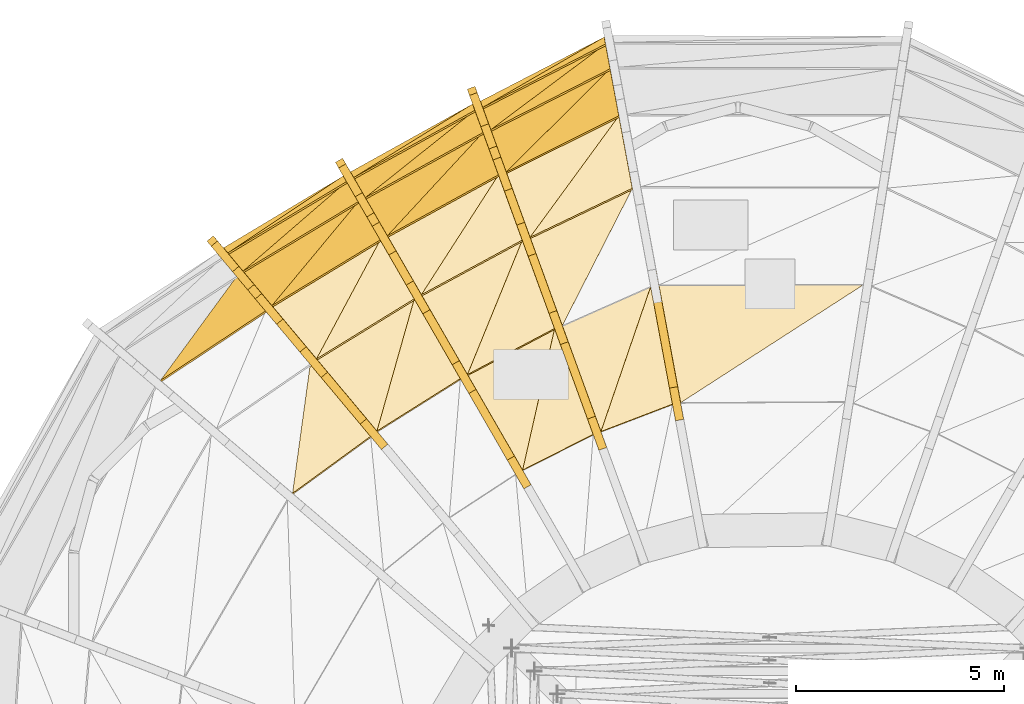
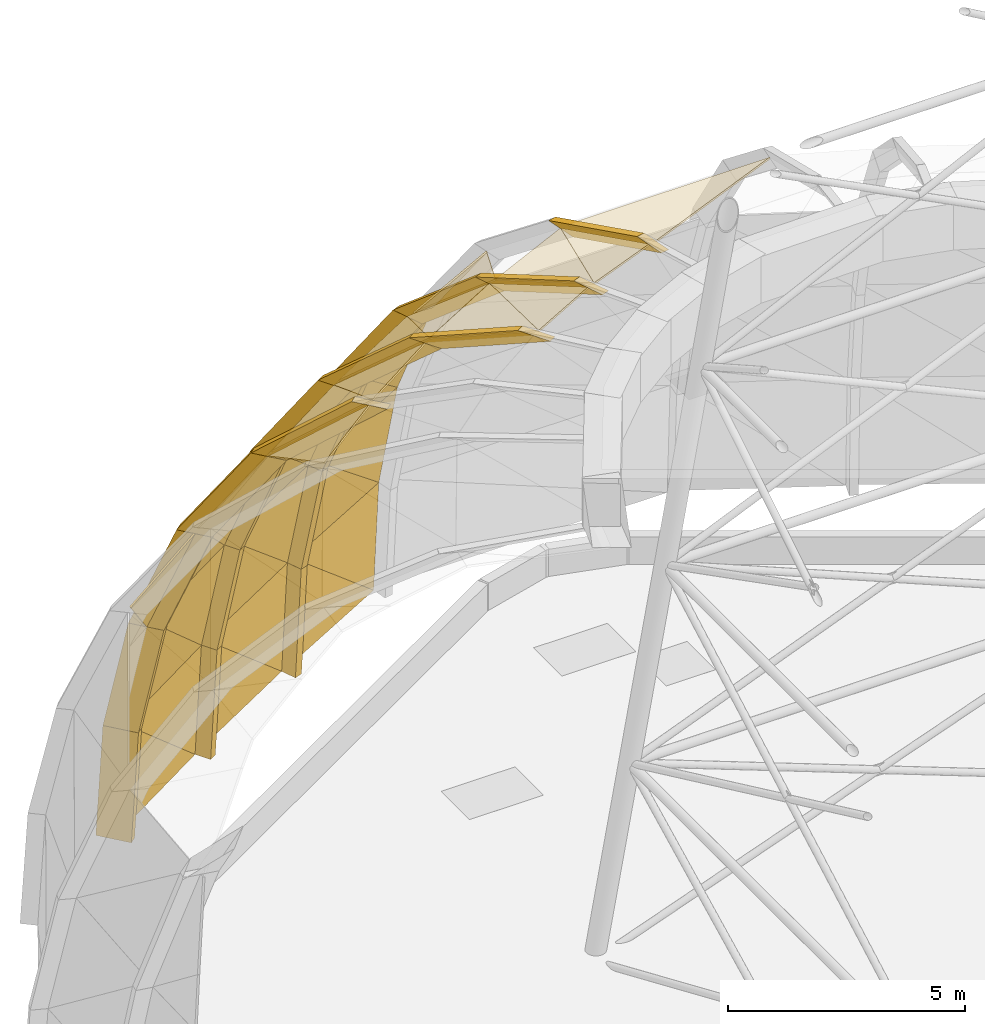
# One storey, part 25 of 27: 36 coverings, 18 shading devices.
"""IFC4 building model written with IfcOpenShell, lengths in metres."""

from ifc_helpers import new_model, si_unit, direction, frame, origin, place, context, subcontext, project, spatial, polyline, outline, extrude, material, layer, layer_set, type_object, element, save


model = new_model("IFC4")

# Units and contexts
model_context = context("Model", 3, precision=1e-05, world=origin(), true_north=direction((0.0, 1.0)))
body_context = subcontext(model_context, "Body", "Model", "MODEL_VIEW")
ifc_project = project(units=[si_unit("LENGTHUNIT", "METRE"), si_unit("AREAUNIT", "SQUARE_METRE"), si_unit("VOLUMEUNIT", "CUBIC_METRE"), si_unit("PLANEANGLEUNIT", "RADIAN"), si_unit("MASSUNIT", "GRAM", prefix="KILO")], contexts=[model_context])

# Site, building, storey
site_placement = place(None, origin())
site = spatial("IfcSite", under=ifc_project, at=site_placement, CompositionType="ELEMENT")
building_placement = place(site_placement, origin())
building = spatial("IfcBuilding", under=site, at=building_placement, Name="Ayvan Gate Tower", CompositionType="ELEMENT")
storey_placement = place(building_placement, frame((0.0, 0.0, 267.699951171875)))
storey = spatial("IfcBuildingStorey", under=building, at=storey_placement, Name="Roof", CompositionType="ELEMENT", Elevation=267.699951171875)

# Shading devices
ifc_material_1 = material(Name="Bronze anodised aluminium", Category="aluminium")
ifc_layer_1 = layer(ifc_material_1, 0.199951171875)
ifc_layer_set_1 = layer_set([ifc_layer_1], Name="Bronze anodised aluminium")
shading_device_type = type_object("IfcShadingDeviceType", Name="Crown frame rib 800 x 200", PredefinedType="USERDEFINED", material=ifc_layer_set_1)
shading_device_1_placement = place(storey_placement, frame((-2.599365234375, 14.5673828125, 12.552978515625), z_axis=(0.983235400405, 0.18233493226, 0.001455976357), x_axis=(-0.182335125836, 0.983236442513, 2.18425e-07)))
element("IfcShadingDevice", 1, at=shading_device_1_placement, inside=storey, type_object=shading_device_type, Name="CROWN FRAME rib FD06.3.1", ObjectType="FIN", PredefinedType="USERDEFINED", context=body_context, shape_type="SweptSolid", body=[
    extrude(outline(polyline([(0.0, 0.0), (0.8000547419501867, 0.0), (-2.077497392147184, 1.12011882852941), (-2.8775076186857897, 1.1201191780238404), (0.0, 0.0)])), origin(), (0.0, 0.0, -1.0), 0.199951171875),
])
shading_device_2_placement = place(storey_placement, frame((-6.828125, 19.006591796875, 0.0), z_axis=(0.939445334943, 0.342698428176, 0.000499978823), x_axis=(-0.342698470998, 0.939445452368, -2.614e-08)))
element("IfcShadingDevice", 2, at=shading_device_2_placement, inside=storey, type_object=shading_device_type, Name="CROWN FRAME rib FD01.3.2", ObjectType="FIN", PredefinedType="USERDEFINED", context=body_context, shape_type="SweptSolid", body=[
    extrude(outline(polyline([(0.0, 0.0), (0.8001471998957519, 0.0), (0.64008163299808, 2.8701175629659983), (-0.1598362100977772, 2.8701175211404557), (0.0, 0.0)])), origin(), (0.0, 0.0, -1.0), 0.199951171875),
])
shading_device_3_placement = place(storey_placement, frame((-6.773193359375, 18.8564453125, 2.8701171875), z_axis=(0.93937822152, 0.342882206588, 0.000591049505), x_axis=(-0.342882266432, 0.939378385618, -8.4728e-08)))
element("IfcShadingDevice", 3, at=shading_device_3_placement, inside=storey, type_object=shading_device_type, Name="CROWN FRAME rib FD02.3.2", ObjectType="FIN", PredefinedType="USERDEFINED", context=body_context, shape_type="SweptSolid", body=[
    extrude(outline(polyline([(0.0, 0.0), (0.7999178359706091, 0.0), (0.22904736832205572, 2.7768559731896323), (-0.5709541791393815, 2.776855837630994), (0.0, 0.0)])), origin(), (0.0, 0.0, -1.0), 0.199951171875),
])
shading_device_4_placement = place(storey_placement, frame((-6.57763671875, 18.320068359375, 5.64697265625), z_axis=(0.939445338384, 0.342698429431, 0.000492599613), x_axis=(-0.342698470998, 0.939445452368, -2.5754e-08)))
element("IfcShadingDevice", 4, at=shading_device_4_placement, inside=storey, type_object=shading_device_type, Name="CROWN FRAME rib FD03.3.2", ObjectType="FIN", PredefinedType="USERDEFINED", context=body_context, shape_type="SweptSolid", body=[
    extrude(outline(polyline([(0.0, 0.0), (0.8001471998957519, 0.0), (-0.28356803202087577, 2.660156565446301), (-1.083485875116733, 2.660156524238064), (0.0, 0.0)])), origin(), (0.0, 0.0, -1.0), 0.199951171875),
])
shading_device_5_placement = place(storey_placement, frame((-6.206298828125, 17.30224609375, 8.30712890625), z_axis=(0.939378156799, 0.342882182964, 0.000697950845), x_axis=(-0.342882266413, 0.939378385625, -1.00053e-07)))
element("IfcShadingDevice", 5, at=shading_device_5_placement, inside=storey, type_object=shading_device_type, Name="CROWN FRAME rib FD04.3.2", ObjectType="FIN", PredefinedType="USERDEFINED", context=body_context, shape_type="SweptSolid", body=[
    extrude(outline(polyline([(0.0, 0.0), (0.7999178359706103, -5.421010862427522e-20), (-0.8710849118474767, 2.379883305008134), (-1.6710864593089105, 2.379883144931414), (0.0, 0.0)])), origin(), (0.0, 0.0, -1.0), 0.199951171875),
])
shading_device_6_placement = place(storey_placement, frame((-5.633544921875, 15.732421875, 10.68701171875), z_axis=(0.939427257524, 0.342747501689, 0.000760202322), x_axis=(-0.342747600727, 0.939427528975, 0.0)))
element("IfcShadingDevice", 6, at=shading_device_6_placement, inside=storey, type_object=shading_device_type, Name="CROWN FRAME rib FD05.3.2", ObjectType="FIN", PredefinedType="USERDEFINED", context=body_context, shape_type="SweptSolid", body=[
    extrude(outline(polyline([(0.0, 0.0), (0.7999178441897364, 2.710505431213761e-20), (-1.4633996837415109, 1.865967336053403), (-2.2633175279312474, 1.865967336053403), (0.0, 0.0)])), origin(), (0.0, 0.0, -1.0), 0.199951171875),
])
shading_device_7_placement = place(storey_placement, frame((-4.857666015625, 13.606201171875, 12.552978515625), z_axis=(0.939426663936, 0.34274728512, 0.001357066174), x_axis=(-0.342747600727, 0.939427528975, 0.0)))
element("IfcShadingDevice", 7, at=shading_device_7_placement, inside=storey, type_object=shading_device_type, Name="CROWN FRAME rib FD06.3.2", ObjectType="FIN", PredefinedType="USERDEFINED", context=body_context, shape_type="SweptSolid", body=[
    extrude(outline(polyline([(0.0, 0.0), (0.7999178441897364, 0.0), (-1.9095806078882402, 1.1201182189213486), (-2.709498452077977, 1.1201182189213486), (0.0, 0.0)])), origin(), (0.0, 0.0, -1.0), 0.199951171875),
])
shading_device_8_placement = place(storey_placement, frame((-9.892578125, 17.33447265625, 0.0), z_axis=(0.865961840809, 0.500109745274, 0.000577013249), x_axis=(-0.500109828528, 0.865961984968, 0.0)))
element("IfcShadingDevice", 8, at=shading_device_8_placement, inside=storey, type_object=shading_device_type, Name="CROWN FRAME rib FD01.3.3", ObjectType="FIN", PredefinedType="USERDEFINED", context=body_context, shape_type="SweptSolid", body=[
    extrude(outline(polyline([(0.0, 0.0), (0.8001172173575528, -5.421010862427522e-20), (0.6434747990022246, 2.8701176652946825), (-0.15664241835532813, 2.8701176652946825), (0.0, 0.0)])), origin(), (0.0, 0.0, -1.0), 0.199951171875),
])
shading_device_9_placement = place(storey_placement, frame((-9.814453125, 17.198974609375, 2.8701171875), z_axis=(0.865951596037, 0.500127490344, 0.000571597691), x_axis=(-0.500127572008, 0.865951737522, -7.5548e-08)))
element("IfcShadingDevice", 9, at=shading_device_9_placement, inside=storey, type_object=shading_device_type, Name="CROWN FRAME rib FD02.3.3", ObjectType="FIN", PredefinedType="USERDEFINED", context=body_context, shape_type="SweptSolid", body=[
    extrude(outline(polyline([(0.0, 0.0), (0.7997837017331613, 2.710505431213761e-20), (0.2408417304157722, 2.776855940577728), (-0.5590640727753989, 2.77685581972475), (0.0, 0.0)])), origin(), (0.0, 0.0, -1.0), 0.199951171875),
])
shading_device_10_placement = place(storey_placement, frame((-9.534912109375, 16.71484375, 5.64697265625), z_axis=(0.865989752127, 0.500061395193, 0.000591818765), x_axis=(-0.500061482749, 0.865989903793, -3.3054e-08)))
element("IfcShadingDevice", 10, at=shading_device_10_placement, inside=storey, type_object=shading_device_type, Name="CROWN FRAME rib FD03.3.3", ObjectType="FIN", PredefinedType="USERDEFINED", context=body_context, shape_type="SweptSolid", body=[
    extrude(outline(polyline([(0.0, 0.0), (0.7997837074713673, -5.421010862427522e-20), (-0.2609954846563927, 2.660156707232344), (-1.0611127007670522, 2.6601566543494193), (0.0, 0.0)])), origin(), (0.0, 0.0, -1.0), 0.199951171875),
])
shading_device_11_placement = place(storey_placement, frame((-9.00439453125, 15.7958984375, 8.30712890625), z_axis=(0.866027881097, 0.499995307673, 0.000633614634), x_axis=(-0.499995407993, 0.866028054964, -8.373e-08)))
element("IfcShadingDevice", 11, at=shading_device_11_placement, inside=storey, type_object=shading_device_type, Name="CROWN FRAME rib FD04.3.3", ObjectType="FIN", PredefinedType="USERDEFINED", context=body_context, shape_type="SweptSolid", body=[
    extrude(outline(polyline([(0.0, 0.0), (0.7999951411822008, 0.0), (-0.836115789265566, 2.3798832202151807), (-1.6362329996391713, 2.379883086238151), (0.0, 0.0)])), origin(), (0.0, 0.0, -1.0), 0.199951171875),
])
shading_device_12_placement = place(storey_placement, frame((-8.186279296875, 14.37890625, 10.68701171875), z_axis=(0.866027758324, 0.499995236792, 0.000827645558), x_axis=(-0.499995407961, 0.866028054983, -1.0937e-07)))
element("IfcShadingDevice", 12, at=shading_device_12_placement, inside=storey, type_object=shading_device_type, Name="CROWN FRAME rib FD05.3.3", ObjectType="FIN", PredefinedType="USERDEFINED", context=body_context, shape_type="SweptSolid", body=[
    extrude(outline(polyline([(0.0, 0.0), (0.7999951411822028, 0.0), (-1.4162623472567504, 1.8659672810694128), (-2.2163795576303498, 1.8659671060647844), (0.0, 0.0)])), origin(), (0.0, 0.0, -1.0), 0.199951171875),
])
shading_device_13_placement = place(storey_placement, frame((-7.078125, 12.45947265625, 12.552978515625), z_axis=(0.866093661449, 0.499880696777, 0.001028876442), x_axis=(-0.499880961361, 0.866094119867, 0.0)))
element("IfcShadingDevice", 13, at=shading_device_13_placement, inside=storey, type_object=shading_device_type, Name="CROWN FRAME rib FD06.3.3", ObjectType="FIN", PredefinedType="USERDEFINED", context=body_context, shape_type="SweptSolid", body=[
    extrude(outline(polyline([(0.0, 0.0), (0.7999951481672026, 0.0), (-1.853023382765111, 1.1201177803710676), (-2.6530185309323135, 1.1201177803710676), (0.0, 0.0)])), origin(), (0.0, 0.0, -1.0), 0.199951171875),
])
shading_device_14_placement = place(storey_placement, frame((-12.89306640625, 15.544921875, 0.0), z_axis=(0.766617821564, 0.642103462011, 0.000509640865), x_axis=(-0.642103545399, 0.766617921123, 0.0)))
element("IfcShadingDevice", 14, at=shading_device_14_placement, inside=storey, type_object=shading_device_type, Name="CROWN FRAME rib FD01.3.4", ObjectType="FIN", PredefinedType="USERDEFINED", context=body_context, shape_type="SweptSolid", body=[
    extrude(outline(polyline([(0.0, 0.0), (0.7999829290476004, -2.710505431213761e-20), (0.640065023048108, 2.8701175602333096), (-0.15991790599949246, 2.8701175602333096), (0.0, 0.0)])), origin(), (0.0, 0.0, -1.0), 0.199951171875),
])
shading_device_15_placement = place(storey_placement, frame((-12.790283203125, 15.42236328125, 2.8701171875), z_axis=(0.766404624974, 0.642357848127, 0.000588020975), x_axis=(-0.642357959154, 0.766404757495, -5.7625e-08)))
element("IfcShadingDevice", 15, at=shading_device_15_placement, inside=storey, type_object=shading_device_type, Name="CROWN FRAME rib FD02.3.4", ObjectType="FIN", PredefinedType="USERDEFINED", context=body_context, shape_type="SweptSolid", body=[
    extrude(outline(polyline([(0.0, 0.0), (0.8001397106561248, 2.710505431213761e-20), (0.229133883140457, 2.7768559620288746), (-0.5708187169791699, 2.7768558698228714), (0.0, 0.0)])), origin(), (0.0, 0.0, -1.0), 0.199951171875),
])
shading_device_16_placement = place(storey_placement, frame((-12.423828125, 14.98486328125, 5.64697265625), z_axis=(0.766416760457, 0.642343318352, 0.000640826948), x_axis=(-0.642343450207, 0.766416917856, -7.4961e-08)))
element("IfcShadingDevice", 16, at=shading_device_16_placement, inside=storey, type_object=shading_device_type, Name="CROWN FRAME rib FD03.3.4", ObjectType="FIN", PredefinedType="USERDEFINED", context=body_context, shape_type="SweptSolid", body=[
    extrude(outline(polyline([(0.0, 0.0), (0.7997957763604463, 5.421010862427522e-20), (-0.28367198605035066, 2.660156774944559), (-1.0836245845421952, 2.660156655025427), (0.0, 0.0)])), origin(), (0.0, 0.0, -1.0), 0.199951171875),
])
shading_device_17_placement = place(storey_placement, frame((-11.72802734375, 14.154296875, 8.30712890625), z_axis=(0.766554860775, 0.642178549501, 0.000596643464), x_axis=(-0.64217866383, 0.766554997193, 5.8479e-08)))
element("IfcShadingDevice", 17, at=shading_device_17_placement, inside=storey, type_object=shading_device_type, Name="CROWN FRAME rib FD04.3.4", ObjectType="FIN", PredefinedType="USERDEFINED", context=body_context, shape_type="SweptSolid", body=[
    extrude(outline(polyline([(0.0, 0.0), (0.7997957779906897, 0.0), (-0.8711562918543059, 2.37988328704409), (-1.671139217061107, 2.37988338059793), (0.0, 0.0)])), origin(), (0.0, 0.0, -1.0), 0.199951171875),
])
shading_device_18_placement = place(storey_placement, frame((-10.65478515625, 12.873291015625, 10.68701171875), z_axis=(0.76655476292, 0.642178467523, 0.000781853815), x_axis=(-0.642178663757, 0.766554997254, -7.6614e-08)))
element("IfcShadingDevice", 18, at=shading_device_18_placement, inside=storey, type_object=shading_device_type, Name="CROWN FRAME rib FD05.3.4", ObjectType="FIN", PredefinedType="USERDEFINED", context=body_context, shape_type="SweptSolid", body=[
    extrude(outline(polyline([(0.0, 0.0), (0.7999829252068078, 0.0), (-1.4635165966995967, 1.8659672550771753), (-2.2633123746902784, 1.8659671325109866), (0.0, 0.0)])), origin(), (0.0, 0.0, -1.0), 0.199951171875),
])

# Coverings
ifc_material_2 = material(Name="Pale metal cladding")
ifc_layer_2 = layer(ifc_material_2, 0.0400390625)
ifc_layer_set_2 = layer_set([ifc_layer_2], Name="Pale metal cladding")
covering_type = type_object("IfcCoveringType", Name="Dome cladding panel 40", PredefinedType="CLADDING", material=ifc_layer_set_2)
covering_1_placement = place(storey_placement, frame((2.253662109375, 14.978515625, 12.571533203125), z_axis=(-0.000784196025, 0.367970306785, 0.929837210678), x_axis=(-0.99999772913, -0.002131134577, 0.0)))
element("IfcCovering", 19, at=covering_1_placement, inside=storey, type_object=covering_type, Name="Dome cladding panel 23.6A", PredefinedType="CLADDING", context=body_context, shape_type="SweptSolid", body=[
    extrude(outline(polyline([(0.0, 0.0), (4.9260365770130425, 0.0), (4.407409281775708, 3.0440354104816145), (0.0, 0.0)])), origin(), (0.0, 0.0, -1.0), 0.0400390625),
])
covering_2_placement = place(storey_placement, frame((-3.991455078125, 20.94482421875, 0.001220703125), z_axis=(-0.459144612707, 0.886649103534, 0.055132493358), x_axis=(-0.887999708965, -0.459844013637, 0.0)))
element("IfcCovering", 20, at=covering_2_placement, inside=storey, type_object=covering_type, Name="Dome cladding panel 24.1A", PredefinedType="CLADDING", context=body_context, shape_type="SweptSolid", body=[
    extrude(outline(polyline([(0.0, 0.0), (3.3591341597699373, 0.0), (3.379615637694456, 2.874489149130913), (0.0, 0.0)])), origin(), (0.0, 0.0, -1.0), 0.0400390625),
])
covering_3_placement = place(storey_placement, frame((-3.991455078125, 20.94482421875, 0.001220703125), z_axis=(-0.458024194393, 0.887138264659, 0.056564447577), x_axis=(-0.659997082741, -0.381999312022, 0.646900592355)))
element("IfcCovering", 21, at=covering_3_placement, inside=storey, type_object=covering_type, Name="Dome cladding panel 24.1B", PredefinedType="CLADDING", context=body_context, shape_type="SweptSolid", body=[
    extrude(outline(polyline([(0.0, 0.0), (4.436720605021265, 4.440892098500626e-16), (1.9000076327233977, 2.157867331319829), (0.0, 0.0)])), origin(), (0.0, 0.0, -1.0), 0.0400390625),
])
covering_4_placement = place(storey_placement, frame((-3.960205078125, 20.77734375, 2.8740234375), z_axis=(-0.449502387278, 0.870632540139, 0.199866415094), x_axis=(-0.88856089512, -0.458758690014, 0.0)))
element("IfcCovering", 22, at=covering_4_placement, inside=storey, type_object=covering_type, Name="Dome cladding panel 24.2A", PredefinedType="CLADDING", context=body_context, shape_type="SweptSolid", body=[
    extrude(outline(polyline([(0.0, 0.0), (3.330360959926362, -5.551115123125783e-17), (3.402447630843052, 2.8340374005973707), (0.0, 0.0)])), origin(), (0.0, 0.0, -1.0), 0.0400390625),
])
covering_5_placement = place(storey_placement, frame((-3.9599609375, 20.77734375, 2.874267578125), z_axis=(-0.445233892191, 0.871660299165, 0.204878266549), x_axis=(-0.624060701905, -0.466157190088, 0.627093066831)))
element("IfcCovering", 23, at=covering_5_placement, inside=storey, type_object=covering_type, Name="Dome cladding panel 24.2B", PredefinedType="CLADDING", context=body_context, shape_type="SweptSolid", body=[
    extrude(outline(polyline([(0.0, 0.0), (4.428139323532425, 0.0), (1.9502472906177146, 2.0676405398910886), (0.0, 0.0)])), origin(), (0.0, 0.0, -1.0), 0.0400390625),
])
covering_6_placement = place(storey_placement, frame((-3.84912109375, 20.180419921875, 5.654541015625), z_axis=(-0.421729151151, 0.825643699875, 0.374775938297), x_axis=(-0.8905511492, -0.454883117579, 0.0)))
element("IfcCovering", 24, at=covering_6_placement, inside=storey, type_object=covering_type, Name="Dome cladding panel 24.3A", PredefinedType="CLADDING", context=body_context, shape_type="SweptSolid", body=[
    extrude(outline(polyline([(0.0, 0.0), (3.227241287691905, 0.0), (3.3595360677831083, 2.869282725524014), (0.0, 0.0)])), origin(), (0.0, 0.0, -1.0), 0.0400390625),
])
covering_7_placement = place(storey_placement, frame((-3.848876953125, 20.180419921875, 5.654541015625), z_axis=(-0.412536042255, 0.826113091105, 0.383863484258), x_axis=(-0.566466908844, -0.562653991401, 0.602109397987)))
element("IfcCovering", 25, at=covering_7_placement, inside=storey, type_object=covering_type, Name="Dome cladding panel 24.3B", PredefinedType="CLADDING", context=body_context, shape_type="SweptSolid", body=[
    extrude(outline(polyline([(0.0, 0.0), (4.418061333857431, -2.220446049250313e-16), (2.119464727032619, 1.9769241764601106), (0.0, 0.0)])), origin(), (0.0, 0.0, -1.0), 0.0400390625),
])
covering_8_placement = place(storey_placement, frame((-3.63818359375, 19.047119140625, 8.318603515625), z_axis=(-0.36640573264, 0.733736065183, 0.572169752554), x_axis=(-0.894652552311, -0.446762588679, 0.0)))
element("IfcCovering", 26, at=covering_8_placement, inside=storey, type_object=covering_type, Name="Dome cladding panel 24.4A", PredefinedType="CLADDING", context=body_context, shape_type="SweptSolid", body=[
    extrude(outline(polyline([(0.0, 0.0), (3.03179411576364, 0.0), (3.2207171034304425, 2.901817606408549), (0.0, 0.0)])), origin(), (0.0, 0.0, -1.0), 0.0400390625),
])
covering_9_placement = place(storey_placement, frame((-3.637939453125, 19.047119140625, 8.31884765625), z_axis=(-0.350488594751, 0.731955999263, 0.584292871848), x_axis=(-0.493557602977, -0.674558759522, 0.548973016182)))
element("IfcCovering", 27, at=covering_9_placement, inside=storey, type_object=covering_type, Name="Dome cladding panel 24.4B", PredefinedType="CLADDING", context=body_context, shape_type="SweptSolid", body=[
    extrude(outline(polyline([(0.0, 0.0), (4.335154447213157, -2.220446049250313e-16), (2.3238517070559825, 1.8473713213754692), (0.0, 0.0)])), origin(), (0.0, 0.0, -1.0), 0.0400390625),
])
covering_10_placement = place(storey_placement, frame((-3.31298828125, 17.299072265625, 10.702392578125), z_axis=(-0.275499074512, 0.57534882276, 0.77011297359), x_axis=(-0.901931396025, -0.43187933137, 0.0)))
element("IfcCovering", 28, at=covering_10_placement, inside=storey, type_object=covering_type, Name="Dome cladding panel 24.5A", PredefinedType="CLADDING", context=body_context, shape_type="SweptSolid", body=[
    extrude(outline(polyline([(0.0, 0.0), (2.7309557871932513, 1.1102230246251565e-16), (2.949657215839201, 2.9251368412762657), (0.0, 0.0)])), origin(), (0.0, 0.0, -1.0), 0.0400390625),
])
covering_11_placement = place(storey_placement, frame((-2.872314453125, 14.93115234375, 12.571533203125), z_axis=(-0.155099990725, 0.349949629241, 0.92383940697), x_axis=(-0.914231058187, -0.405193252962, 0.0)))
element("IfcCovering", 29, at=covering_11_placement, inside=storey, type_object=covering_type, Name="Dome cladding panel 24.6A", PredefinedType="CLADDING", context=body_context, shape_type="SweptSolid", body=[
    extrude(outline(polyline([(0.0, 0.0), (2.3251588346719334, -1.1102230246251565e-16), (2.507485472865943, 2.9262666282672467), (0.0, 0.0)])), origin(), (0.0, 0.0, -1.0), 0.0400390625),
])
covering_12_placement = place(storey_placement, frame((-2.871826171875, 14.930908203125, 12.571533203125), z_axis=(-0.131467746575, 0.343756228717, 0.929810672572), x_axis=(-0.310621217809, -0.905001855272, 0.290664929086)))
element("IfcCovering", 30, at=covering_12_placement, inside=storey, type_object=covering_type, Name="Dome cladding panel 24.6B", PredefinedType="CLADDING", context=body_context, shape_type="SweptSolid", body=[
    extrude(outline(polyline([(0.0, 0.0), (3.8536372138986175, 1.1102230246251565e-16), (2.722950975700808, 1.4557755248352076), (0.0, 0.0)])), origin(), (0.0, 0.0, -1.0), 0.0400390625),
])
covering_13_placement = place(storey_placement, frame((-7.162841796875, 19.33154296875, 0.0009765625), z_axis=(-0.484895935201, 0.872870676596, 0.054522600492), x_axis=(-0.874170973799, -0.48561827454, 0.0)))
element("IfcCovering", 31, at=covering_13_placement, inside=storey, type_object=covering_type, Name="Dome cladding panel 25.1A", PredefinedType="CLADDING", context=body_context, shape_type="SweptSolid", body=[
    extrude(outline(polyline([(0.0, 0.0), (3.362840169412235, 0.0), (3.3602510283123848, 2.8743927410847774), (0.0, 0.0)])), origin(), (0.0, 0.0, -1.0), 0.0400390625),
])
covering_14_placement = place(storey_placement, frame((-7.162841796875, 19.33154296875, 0.001220703125), z_axis=(-0.484510087519, 0.873053702732, 0.055020062145), x_axis=(-0.64707749057, -0.400006520408, 0.649065100609)))
element("IfcCovering", 32, at=covering_14_placement, inside=storey, type_object=covering_type, Name="Dome cladding panel 25.1B", PredefinedType="CLADDING", context=body_context, shape_type="SweptSolid", body=[
    extrude(outline(polyline([(0.0, 0.0), (4.421924988427019, 0.0), (1.8875051035047519, 2.1680710273088546), (0.0, 0.0)])), origin(), (0.0, 0.0, -1.0), 0.0400390625),
])
covering_15_placement = place(storey_placement, frame((-7.107666015625, 19.1806640625, 2.8740234375), z_axis=(-0.475703400716, 0.85718466157, 0.197334058178), x_axis=(-0.874378167809, -0.485245112968, 0.0)))
element("IfcCovering", 33, at=covering_15_placement, inside=storey, type_object=covering_type, Name="Dome cladding panel 25.2A", PredefinedType="CLADDING", context=body_context, shape_type="SweptSolid", body=[
    extrude(outline(polyline([(0.0, 0.0), (3.3352385420754347, 5.551115123125783e-17), (3.3257361145546254, 2.832553947696995), (0.0, 0.0)])), origin(), (0.0, 0.0, -1.0), 0.0400390625),
])
covering_16_placement = place(storey_placement, frame((-7.107666015625, 19.1806640625, 2.8740234375), z_axis=(-0.47429301853, 0.857586238773, 0.198977324441), x_axis=(-0.603573883589, -0.481294285691, 0.635652717772)))
element("IfcCovering", 34, at=covering_16_placement, inside=storey, type_object=covering_type, Name="Dome cladding panel 25.2B", PredefinedType="CLADDING", context=body_context, shape_type="SweptSolid", body=[
    extrude(outline(polyline([(0.0, 0.0), (4.368510337662797, 4.440892098500626e-16), (1.9051205035549315, 2.0993148771904333), (0.0, 0.0)])), origin(), (0.0, 0.0, -1.0), 0.0400390625),
])
covering_17_placement = place(storey_placement, frame((-6.91162109375, 18.643798828125, 5.654296875), z_axis=(-0.44955119892, 0.812849666251, 0.370377023619), x_axis=(-0.875084342992, -0.483970446051, 0.0)))
element("IfcCovering", 35, at=covering_17_placement, inside=storey, type_object=covering_type, Name="Dome cladding panel 25.3A", PredefinedType="CLADDING", context=body_context, shape_type="SweptSolid", body=[
    extrude(outline(polyline([(0.0, 0.0), (3.2365741808861825, 0.0), (3.2169507705268066, 2.8638273237197884), (0.0, 0.0)])), origin(), (0.0, 0.0, -1.0), 0.0400390625),
])
covering_18_placement = place(storey_placement, frame((-6.91162109375, 18.643798828125, 5.654541015625), z_axis=(-0.446299792262, 0.813202933179, 0.373520394217), x_axis=(-0.534422089356, -0.57699219851, 0.617635032416)))
element("IfcCovering", 36, at=covering_18_placement, inside=storey, type_object=covering_type, Name="Dome cladding panel 25.3B", PredefinedType="CLADDING", context=body_context, shape_type="SweptSolid", body=[
    extrude(outline(polyline([(0.0, 0.0), (4.3070035059281135, -2.220446049250313e-16), (2.031970894307012, 2.030240526551433), (0.0, 0.0)])), origin(), (0.0, 0.0, -1.0), 0.0400390625),
])
covering_19_placement = place(storey_placement, frame((-6.5390625, 17.623779296875, 8.318359375), z_axis=(-0.396491919425, 0.722447998965, 0.566447743946), x_axis=(-0.876653379746, -0.481122491451, 0.0)))
element("IfcCovering", 37, at=covering_19_placement, inside=storey, type_object=covering_type, Name="Dome cladding panel 25.4A", PredefinedType="CLADDING", context=body_context, shape_type="SweptSolid", body=[
    extrude(outline(polyline([(0.0, 0.0), (3.049204811027191, -1.1102230246251565e-16), (3.013748137406831, 2.887865028300524), (0.0, 0.0)])), origin(), (0.0, 0.0, -1.0), 0.0400390625),
])
covering_20_placement = place(storey_placement, frame((-6.5390625, 17.623779296875, 8.318603515625), z_axis=(-0.390979454807, 0.722255192012, 0.570510739189), x_axis=(-0.444411024905, -0.690948596631, 0.57016565817)))
element("IfcCovering", 38, at=covering_20_placement, inside=storey, type_object=covering_type, Name="Dome cladding panel 25.4B", PredefinedType="CLADDING", context=body_context, shape_type="SweptSolid", body=[
    extrude(outline(polyline([(0.0, 0.0), (4.174019915789134, -2.220446049250313e-16), (2.1870571405641637, 1.9165120349319216), (0.0, 0.0)])), origin(), (0.0, 0.0, -1.0), 0.0400390625),
])
covering_21_placement = place(storey_placement, frame((-5.964599609375, 16.05078125, 10.702392578125), z_axis=(-0.30666956544, 0.566509782415, 0.764866291623), x_axis=(-0.879415392376, -0.47605521492, 0.0)))
element("IfcCovering", 39, at=covering_21_placement, inside=storey, type_object=covering_type, Name="Dome cladding panel 25.5A", PredefinedType="CLADDING", context=body_context, shape_type="SweptSolid", body=[
    extrude(outline(polyline([(0.0, 0.0), (2.760623018481265, 0.0), (2.699851444678245, 2.8966135692142334), (0.0, 0.0)])), origin(), (0.0, 0.0, -1.0), 0.0400390625),
])
covering_22_placement = place(storey_placement, frame((-5.96435546875, 16.05078125, 10.702392578125), z_axis=(-0.298871969688, 0.565524275977, 0.768672777595), x_axis=(-0.333248884197, -0.81662931937, 0.471234268625)))
element("IfcCovering", 40, at=covering_22_placement, inside=storey, type_object=covering_type, Name="Dome cladding panel 25.5B", PredefinedType="CLADDING", context=body_context, shape_type="SweptSolid", body=[
    extrude(outline(polyline([(0.0, 0.0), (3.9597434251081505, 0.0), (2.3570808846474667, 1.7460825713094243), (0.0, 0.0)])), origin(), (0.0, 0.0, -1.0), 0.0400390625),
])
covering_23_placement = place(storey_placement, frame((-5.186279296875, 13.920166015625, 12.5712890625), z_axis=(-0.181849554659, 0.344094957592, 0.92115655544), x_axis=(-0.884125944557, -0.467248664163, 0.0)))
element("IfcCovering", 41, at=covering_23_placement, inside=storey, type_object=covering_type, Name="Dome cladding panel 25.6A", PredefinedType="CLADDING", context=body_context, shape_type="SweptSolid", body=[
    extrude(outline(polyline([(0.0, 0.0), (2.370091045598549, -1.1102230246251565e-16), (2.2709262315505665, 2.8780563171955698), (0.0, 0.0)])), origin(), (0.0, 0.0, -1.0), 0.0400390625),
])
covering_24_placement = place(storey_placement, frame((-5.18603515625, 13.920166015625, 12.571533203125), z_axis=(-0.173621774295, 0.342904236992, 0.923185877136), x_axis=(-0.209771216348, -0.928787033146, 0.305533441462)))
element("IfcCovering", 42, at=covering_24_placement, inside=storey, type_object=covering_type, Name="Dome cladding panel 25.6B", PredefinedType="CLADDING", context=body_context, shape_type="SweptSolid", body=[
    extrude(outline(polyline([(0.0, 0.0), (3.6661033965361347, -1.1102230246251565e-16), (2.5115603833054583, 1.5127272800198415), (0.0, 0.0)])), origin(), (0.0, 0.0, -1.0), 0.0400390625),
])
covering_25_placement = place(storey_placement, frame((-10.276123046875, 17.597900390625, 0.0009765625), z_axis=(-0.513463608897, 0.856352620628, 0.05491185193), x_axis=(-0.857646632696, -0.51423949034, 0.0)))
element("IfcCovering", 43, at=covering_25_placement, inside=storey, type_object=covering_type, Name="Dome cladding panel 26.1A", PredefinedType="CLADDING", context=body_context, shape_type="SweptSolid", body=[
    extrude(outline(polyline([(0.0, 0.0), (3.3627289995401726, 0.0), (3.3378111866540214, 2.874454146585789), (0.0, 0.0)])), origin(), (0.0, 0.0, -1.0), 0.0400390625),
])
covering_26_placement = place(storey_placement, frame((-10.276123046875, 17.597900390625, 0.0009765625), z_axis=(-0.513818495875, 0.856169254719, 0.054449614966), x_axis=(-0.631449241475, -0.420393443043, 0.651568268478)))
element("IfcCovering", 44, at=covering_26_placement, inside=storey, type_object=covering_type, Name="Dome cladding panel 26.1B", PredefinedType="CLADDING", context=body_context, shape_type="SweptSolid", body=[
    extrude(outline(polyline([(0.0, 0.0), (4.404937020954666, 4.440892098500626e-16), (1.8775536422382406, 2.17643433932891), (0.0, 0.0)])), origin(), (0.0, 0.0, -1.0), 0.0400390625),
])
covering_27_placement = place(storey_placement, frame((-10.197509765625, 17.462158203125, 2.8740234375), z_axis=(-0.504284134789, 0.840282269548, 0.199055818512), x_axis=(-0.857441252219, -0.514581868115, 0.0)))
element("IfcCovering", 45, at=covering_27_placement, inside=storey, type_object=covering_type, Name="Dome cladding panel 26.2A", PredefinedType="CLADDING", context=body_context, shape_type="SweptSolid", body=[
    extrude(outline(polyline([(0.0, 0.0), (3.335346035484492, 5.551115123125783e-17), (3.2461781958109723, 2.8335602411768344), (0.0, 0.0)])), origin(), (0.0, 0.0, -1.0), 0.0400390625),
])
covering_28_placement = place(storey_placement, frame((-10.197509765625, 17.462158203125, 2.8740234375), z_axis=(-0.505818577436, 0.839777158678, 0.197286316005), x_axis=(-0.578606184007, -0.499906224196, 0.644444451321)))
element("IfcCovering", 46, at=covering_28_placement, inside=storey, type_object=covering_type, Name="Dome cladding panel 26.2B", PredefinedType="CLADDING", context=body_context, shape_type="SweptSolid", body=[
    extrude(outline(polyline([(0.0, 0.0), (4.308913612424448, -4.440892098500626e-16), (1.8699462298355707, 2.1275847398480887), (0.0, 0.0)])), origin(), (0.0, 0.0, -1.0), 0.0400390625),
])
covering_29_placement = place(storey_placement, frame((-9.917724609375, 16.97705078125, 5.654541015625), z_axis=(-0.478670048719, 0.794704250475, 0.373256130205), x_axis=(-0.856613107043, -0.515959286032, 0.0)))
element("IfcCovering", 47, at=covering_29_placement, inside=storey, type_object=covering_type, Name="Dome cladding panel 26.3A", PredefinedType="CLADDING", context=body_context, shape_type="SweptSolid", body=[
    extrude(outline(polyline([(0.0, 0.0), (3.2365380761806115, -2.220446049250313e-16), (3.0689184904190676, 2.8673870929583147), (0.0, 0.0)])), origin(), (0.0, 0.0, -1.0), 0.0400390625),
])
covering_30_placement = place(storey_placement, frame((-9.917724609375, 16.97705078125, 5.654296875), z_axis=(-0.481697206144, 0.794201708262, 0.370420636825), x_axis=(-0.494440519667, -0.595293364909, 0.633367493804)))
element("IfcCovering", 48, at=covering_30_placement, inside=storey, type_object=covering_type, Name="Dome cladding panel 26.3B", PredefinedType="CLADDING", context=body_context, shape_type="SweptSolid", body=[
    extrude(outline(polyline([(0.0, 0.0), (4.200020171582511, 2.220446049250313e-16), (1.9695891574129436, 2.0791967712269983), (0.0, 0.0)])), origin(), (0.0, 0.0, -1.0), 0.0400390625),
])
covering_31_placement = place(storey_placement, frame((-9.38623046875, 16.056396484375, 8.318603515625), z_axis=(-0.426022110197, 0.702406996262, 0.570201344462), x_axis=(-0.855024639129, -0.518587375938, 0.0)))
element("IfcCovering", 49, at=covering_31_placement, inside=storey, type_object=covering_type, Name="Dome cladding panel 26.4A", PredefinedType="CLADDING", context=body_context, shape_type="SweptSolid", body=[
    extrude(outline(polyline([(0.0, 0.0), (3.0492428113304224, 0.0), (2.7959077644392467, 2.896979178391247), (0.0, 0.0)])), origin(), (0.0, 0.0, -1.0), 0.0400390625),
])
covering_32_placement = place(storey_placement, frame((-9.38623046875, 16.056396484375, 8.318359375), z_axis=(-0.431471405393, 0.702161405331, 0.566393668036), x_axis=(-0.380996613655, -0.710934951216, 0.591111728459)))
element("IfcCovering", 50, at=covering_32_placement, inside=storey, type_object=covering_type, Name="Dome cladding panel 26.4B", PredefinedType="CLADDING", context=body_context, shape_type="SweptSolid", body=[
    extrude(outline(polyline([(0.0, 0.0), (4.026113335126581, 4.440892098500626e-16), (2.1024667806454387, 1.9800644013940083), (0.0, 0.0)])), origin(), (0.0, 0.0, -1.0), 0.0400390625),
])
covering_33_placement = place(storey_placement, frame((-8.566162109375, 14.63623046875, 10.702392578125), z_axis=(-0.33514925667, 0.545410124791, 0.768246556471), x_axis=(-0.851998219787, -0.523544681455, 0.0)))
element("IfcCovering", 51, at=covering_33_placement, inside=storey, type_object=covering_type, Name="Dome cladding panel 26.5A", PredefinedType="CLADDING", context=body_context, shape_type="SweptSolid", body=[
    extrude(outline(polyline([(0.0, 0.0), (2.760628750889005, 0.0), (2.4305590854813346, 2.914871427677337), (0.0, 0.0)])), origin(), (0.0, 0.0, -1.0), 0.0400390625),
])
covering_34_placement = place(storey_placement, frame((-8.56640625, 14.63623046875, 10.702392578125), z_axis=(-0.342892987709, 0.545535707701, 0.764732103814), x_axis=(-0.236725429798, -0.837995155974, 0.491655559769)))
element("IfcCovering", 52, at=covering_34_placement, inside=storey, type_object=covering_type, Name="Dome cladding panel 26.5B", PredefinedType="CLADDING", context=body_context, shape_type="SweptSolid", body=[
    extrude(outline(polyline([(0.0, 0.0), (3.7952724418552064, 2.220446049250313e-16), (2.2633561129312394, 1.8084096039795585), (0.0, 0.0)])), origin(), (0.0, 0.0, -1.0), 0.0400390625),
])
covering_35_placement = place(storey_placement, frame((-12.84423828125, 15.17822265625, 5.654541015625), z_axis=(-0.511135904761, 0.773310477205, 0.375141296992), x_axis=(-0.448628510806, -0.612331017079, 0.650986316918)))
element("IfcCovering", 53, at=covering_35_placement, inside=storey, type_object=covering_type, Name="Dome cladding panel 27.3B", PredefinedType="CLADDING", context=body_context, shape_type="SweptSolid", body=[
    extrude(outline(polyline([(0.0, 0.0), (4.08634740987008, -2.220446049250313e-16), (1.9281508235959888, 2.1290009296050862), (0.0, 0.0)])), origin(), (0.0, 0.0, -1.0), 0.0400390625),
])
covering_36_placement = place(storey_placement, frame((-11.072509765625, 13.061767578125, 10.702392578125), z_axis=(-0.37520102991, 0.514714282742, 0.770904270513), x_axis=(-0.116607960282, -0.851264885708, 0.511615752258)))
element("IfcCovering", 54, at=covering_36_placement, inside=storey, type_object=covering_type, Name="Dome cladding panel 27.5B", PredefinedType="CLADDING", context=body_context, shape_type="SweptSolid", body=[
    extrude(outline(polyline([(0.0, 0.0), (3.647203567596309, 1.1102230246251565e-16), (2.2621911478812624, 1.8675954150617593), (0.0, 0.0)])), origin(), (0.0, 0.0, -1.0), 0.0400390625),
])

save(model, "model.ifc")
